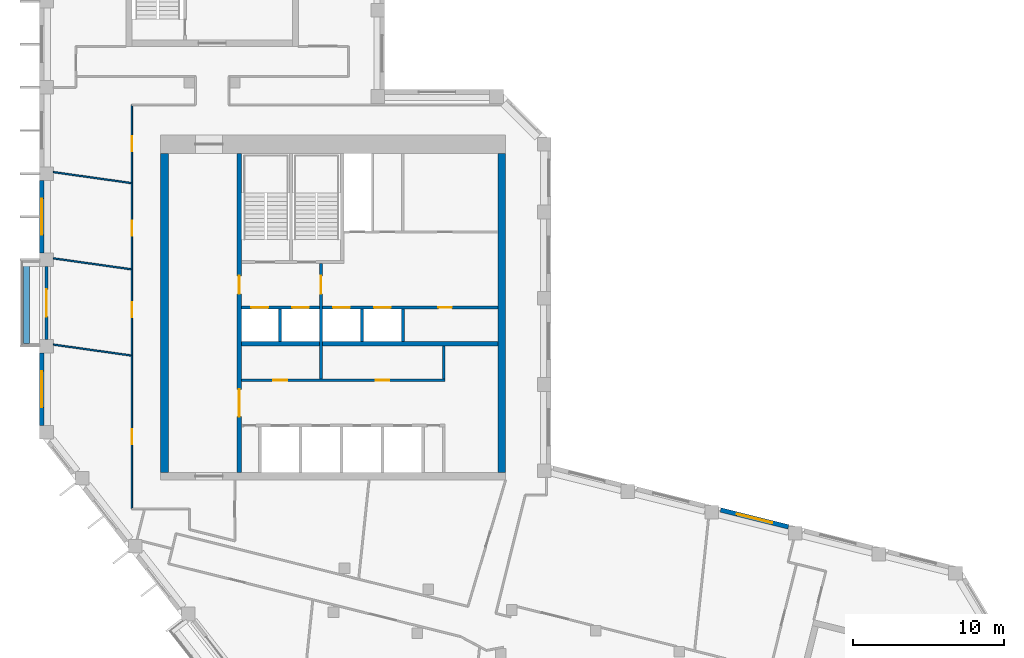
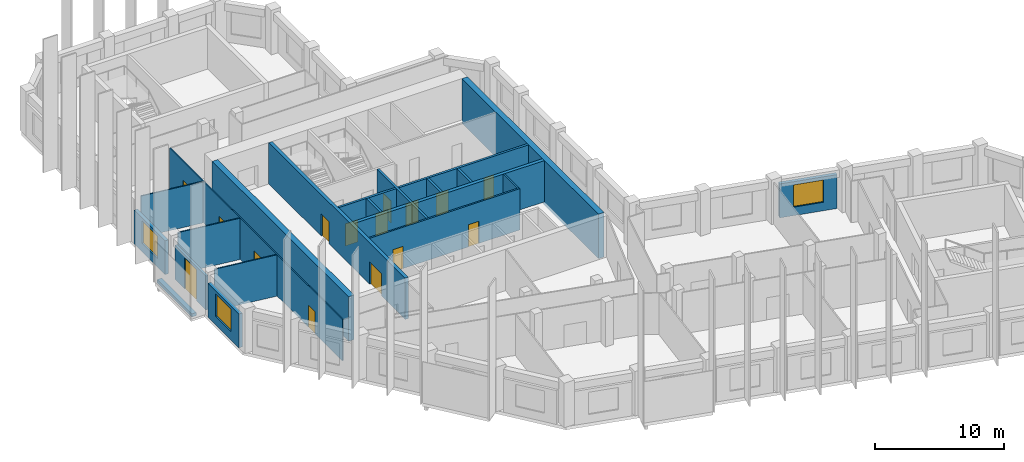
# One storey, part 5 of 8: 20 walls, 15 doors, 3 windows, 18 openings.
"""IFC4 building model written with IfcOpenShell, lengths in metres."""

from ifc_helpers import new_model, si_unit, direction, frame, frame_2d, origin, place, context, subcontext, project, spatial, rectangle, extrude, material, layer, layer_set, type_object, element, fill, save


model = new_model("IFC4")

# Units and contexts
model_context = context("Model", 3, precision=1e-05, world=origin(), true_north=direction((0.0, 1.0)))
body_context = subcontext(model_context, "Body", "Model", "MODEL_VIEW")
ifc_project = project(units=[si_unit("LENGTHUNIT", "METRE"), si_unit("AREAUNIT", "SQUARE_METRE"), si_unit("VOLUMEUNIT", "CUBIC_METRE"), si_unit("PLANEANGLEUNIT", "RADIAN"), si_unit("MASSUNIT", "GRAM", prefix="KILO")], contexts=[model_context])

# Site, building, storey
site_placement = place(None, origin())
site = spatial("IfcSite", under=ifc_project, at=site_placement, CompositionType="ELEMENT")
building_placement = place(site_placement, origin())
building = spatial("IfcBuilding", under=site, at=building_placement, Name="Meshkara Civic Tower", CompositionType="ELEMENT")
storey_placement = place(building_placement, frame((0.0, 0.0, 387.60009765625)))
storey = spatial("IfcBuildingStorey", under=building, at=storey_placement, Name="L89", CompositionType="ELEMENT", Elevation=387.60009765625)

# Wall, openings, doors
ifc_material_1 = material(Name="Blockwork", Category="masonry")
ifc_layer_1 = layer(ifc_material_1, 0.14990234375)
ifc_layer_set_1 = layer_set([ifc_layer_1], Name="Core partition 150")
wall_type_1 = type_object("IfcWallType", Name="Core partition 150", PredefinedType="PARTITIONING", material=ifc_layer_set_1)
wall_1_placement = place(storey_placement, frame((13.35009765625, 20.699951171875, 0.0), z_axis=(0.0, 0.0, 1.0), x_axis=(1.0, 0.0, 0.0)))
wall_1 = element("IfcWall", 1, at=wall_1_placement, inside=storey, type_object=wall_type_1, Name="L89-C006", PredefinedType="PARTITIONING", context=body_context, shape_type="SweptSolid", body=[
    extrude(rectangle(XDim=13.4248046875, YDim=0.14990234375, at=frame_2d((6.71240234375, 0.0))), origin(), (0.0, 0.0, 1.0), 3.89990234375),
])
opening_1_placement = place(wall_1_placement, frame((2.10009765625, 0.0, 0.0)))
opening_1 = element("IfcOpeningElement", 2, at=opening_1_placement, cuts=wall_1, Name="Opening L89-K011", PredefinedType="OPENING", context=body_context, shape_type="SweptSolid", body=[
    extrude(rectangle(XDim=0.89990234375, YDim=2.10009765625, at=frame_2d((0.449951171875, 1.050048828125))), frame((0.0, 0.0849609375, 0.0), z_axis=(0.0, -1.0, 0.0), x_axis=(1.0, 0.0, 0.0)), (0.0, 0.0, 1.0), 0.169921875),
])
opening_2_placement = place(wall_1_placement, frame((8.85009765625, 0.0, 0.0)))
opening_2 = element("IfcOpeningElement", 3, at=opening_2_placement, cuts=wall_1, Name="Opening L89-K012", PredefinedType="OPENING", context=body_context, shape_type="SweptSolid", body=[
    extrude(rectangle(XDim=0.89990234375, YDim=2.10009765625, at=frame_2d((0.449951171875, 1.050048828125))), frame((0.0, 0.0849609375, 0.0), z_axis=(0.0, -1.0, 0.0), x_axis=(1.0, 0.0, 0.0)), (0.0, 0.0, 1.0), 0.169921875),
])
ifc_material_2 = material(Name="Timber door leaf in steel frame", Category="steel")
door_type_1 = type_object("IfcDoorType", Name="Core room door 900", OperationType="SINGLE_SWING_LEFT", PredefinedType="DOOR", material=ifc_material_2)
door_1_placement = place(opening_1_placement, origin())
door_1 = element("IfcDoor", 4, at=door_1_placement, inside=storey, type_object=door_type_1, Name="L89-K011", OperationType="SINGLE_SWING_RIGHT", OverallHeight=2.10009765625, OverallWidth=0.89990234375, PredefinedType="DOOR", context=body_context, shape_type="SweptSolid", body=[
    extrude(rectangle(XDim=0.89990234375, YDim=2.10009765625, at=frame_2d((0.449951171875, 1.050048828125))), frame((0.0, 0.02490234375, 0.0), z_axis=(0.0, -1.0, 0.0), x_axis=(1.0, 0.0, 0.0)), (0.0, 0.0, 1.0), 0.050048828125),
])
fill(opening_1, door_1)
door_2_placement = place(opening_2_placement, origin())
door_2 = element("IfcDoor", 5, at=door_2_placement, inside=storey, type_object=door_type_1, Name="L89-K012", OperationType="SINGLE_SWING_RIGHT", OverallHeight=2.10009765625, OverallWidth=0.89990234375, PredefinedType="DOOR", context=body_context, shape_type="SweptSolid", body=[
    extrude(rectangle(XDim=0.89990234375, YDim=2.10009765625, at=frame_2d((0.449951171875, 1.050048828125))), frame((0.0, 0.02490234375, 0.0), z_axis=(0.0, -1.0, 0.0), x_axis=(1.0, 0.0, 0.0)), (0.0, 0.0, 1.0), 0.050048828125),
])
fill(opening_2, door_2)

# Walls
wall_2_placement = place(storey_placement, frame((26.699951171875, 20.77490234375, 0.0), z_axis=(0.0, 0.0, 1.0), x_axis=(0.0, 1.0, 0.0)))
element("IfcWall", 6, at=wall_2_placement, inside=storey, type_object=wall_type_1, Name="L89-C026", PredefinedType="PARTITIONING", context=body_context, shape_type="SweptSolid", body=[
    extrude(rectangle(XDim=2.175048828125, YDim=0.14990234375, at=frame_2d((1.08740234375, 0.0))), origin(), (0.0, 0.0, 1.0), 3.89990234375),
])
ifc_material_3 = material(Name="Concrete C50", Category="concrete")
ifc_layer_2 = layer(ifc_material_3, 0.5)
ifc_layer_set_2 = layer_set([ifc_layer_2], Name="Core ring wall 500 C50")
wall_type_2 = type_object("IfcWallType", Name="Core ring wall 500 C50", PredefinedType="SHEAR", material=ifc_layer_set_2)
for number, where, z_axis, x_axis, name in (
    (7, (8.25, 14.60009765625, -0.300048828125), (0.0, 0.0, 1.0), (0.0, 1.0, 0.0), "L89-C003"),
    (8, (30.550048828125, 14.60009765625, -0.300048828125), (0.0, 0.0, 1.0), (0.0, 1.0, 0.0), "L89-C004"),
):
    element("IfcWall", number, at=place(storey_placement, frame(where, z_axis=z_axis, x_axis=x_axis)), inside=storey, type_object=wall_type_2, Name=name, PredefinedType="SHEAR", context=body_context, shape_type="SweptSolid", body=[
        extrude(rectangle(XDim=21.099853515625, YDim=0.5, at=frame_2d((10.5498046875, 0.0))), origin(), (0.0, 0.0, 1.0), 4.199951171875),
    ])
ifc_material_4 = material(Name="Concrete C50", Category="concrete")
ifc_layer_3 = layer(ifc_material_4, 0.300048828125)
ifc_layer_set_3 = layer_set([ifc_layer_3], Name="Core shear wall 300 C50")
wall_type_3 = type_object("IfcWallType", Name="Core shear wall 300 C50", PredefinedType="SHEAR", material=ifc_layer_set_3)
wall_3_placement = place(storey_placement, frame((13.35009765625, 23.10009765625, 0.0), z_axis=(0.0, 0.0, 1.0), x_axis=(1.0, 0.0, 0.0)))
element("IfcWall", 9, at=wall_3_placement, inside=storey, type_object=wall_type_3, Name="L89-C007", PredefinedType="SHEAR", context=body_context, shape_type="SweptSolid", body=[
    extrude(rectangle(XDim=16.949951171875, YDim=0.300048828125, at=frame_2d((8.47509765625, 0.0))), origin(), (0.0, 0.0, 1.0), 3.89990234375),
])

# Wall, openings, doors
wall_4_placement = place(storey_placement, frame((13.199951171875, 14.60009765625, 0.0), z_axis=(0.0, 0.0, 1.0), x_axis=(0.0, 1.0, 0.0)))
wall_4 = element("IfcWall", 10, at=wall_4_placement, inside=storey, type_object=wall_type_3, Name="L89-C011", PredefinedType="SHEAR", context=body_context, shape_type="SweptSolid", body=[
    extrude(rectangle(XDim=21.099853515625, YDim=0.300048828125, at=frame_2d((10.5498046875, 0.0))), origin(), (0.0, 0.0, 1.0), 3.89990234375),
])
opening_3_placement = place(wall_4_placement, frame((3.699951171875, 0.0, 0.0)))
opening_3 = element("IfcOpeningElement", 11, at=opening_3_placement, cuts=wall_4, Name="Opening L89-K019", PredefinedType="OPENING", context=body_context, shape_type="SweptSolid", body=[
    extrude(rectangle(XDim=1.800048828125, YDim=2.10009765625, at=frame_2d((0.89990234375, 1.050048828125))), frame((0.0, 0.159912109375, 0.0), z_axis=(0.0, -1.0, 0.0), x_axis=(1.0, 0.0, 0.0)), (0.0, 0.0, 1.0), 0.320068359375),
])
opening_4_placement = place(wall_4_placement, frame((11.800048828125, 0.0, 0.0)))
opening_4 = element("IfcOpeningElement", 12, at=opening_4_placement, cuts=wall_4, Name="Opening L89-K020", PredefinedType="OPENING", context=body_context, shape_type="SweptSolid", body=[
    extrude(rectangle(XDim=1.199951171875, YDim=2.10009765625, at=frame_2d((0.60009765625, 1.050048828125))), frame((0.0, 0.159912109375, 0.0), z_axis=(0.0, -1.0, 0.0), x_axis=(1.0, 0.0, 0.0)), (0.0, 0.0, 1.0), 0.320068359375),
])
ifc_material_5 = material(Name="Fire-rated door leaf in steel frame", Category="steel")
door_type_2 = type_object("IfcDoorType", Name="Core double door 1800 EI 60", OperationType="DOUBLE_DOOR_SINGLE_SWING", PredefinedType="DOOR", material=ifc_material_5)
door_3_placement = place(opening_3_placement, origin())
door_3 = element("IfcDoor", 13, at=door_3_placement, inside=storey, type_object=door_type_2, Name="L89-K019", OperationType="DOUBLE_DOOR_SINGLE_SWING", OverallHeight=2.10009765625, OverallWidth=1.800048828125, PredefinedType="DOOR", context=body_context, shape_type="SweptSolid", body=[
    extrude(rectangle(XDim=1.800048828125, YDim=2.10009765625, at=frame_2d((0.89990234375, 1.050048828125))), frame((0.0, 0.02490234375, 0.0), z_axis=(0.0, -1.0, 0.0), x_axis=(1.0, 0.0, 0.0)), (0.0, 0.0, 1.0), 0.050048828125),
])
fill(opening_3, door_3)
ifc_material_6 = material(Name="Fire-rated door leaf in steel frame", Category="steel")
door_type_3 = type_object("IfcDoorType", Name="Fire-fighting lobby door 1200 EI 120", OperationType="SINGLE_SWING_LEFT", PredefinedType="DOOR", material=ifc_material_6)
door_4_placement = place(opening_4_placement, origin())
door_4 = element("IfcDoor", 14, at=door_4_placement, inside=storey, type_object=door_type_3, Name="L89-K020", OperationType="SINGLE_SWING_LEFT", OverallHeight=2.10009765625, OverallWidth=1.199951171875, PredefinedType="DOOR", context=body_context, shape_type="SweptSolid", body=[
    extrude(rectangle(XDim=1.199951171875, YDim=2.10009765625, at=frame_2d((0.60009765625, 1.050048828125))), frame((0.0, 0.02490234375, 0.0), z_axis=(0.0, -1.0, 0.0), x_axis=(1.0, 0.0, 0.0)), (0.0, 0.0, 1.0), 0.050048828125),
])
fill(opening_4, door_4)

ifc_material_7 = material(Name="Corridor wall 100")
ifc_layer_4 = layer(ifc_material_7, 0.10009765625)
ifc_layer_set_4 = layer_set([ifc_layer_4], Name="Corridor wall 100")
wall_type_4 = type_object("IfcWallType", Name="Corridor wall 100", PredefinedType="PARTITIONING", material=ifc_layer_set_4)
wall_5_placement = place(storey_placement, frame((6.10009765625, 38.89990234375, 0.0), z_axis=(0.0, 0.0, 1.0), x_axis=(0.0, -1.0, 0.0)))
wall_5 = element("IfcWall", 15, at=wall_5_placement, inside=storey, type_object=wall_type_4, Name="L89-W005", PredefinedType="PARTITIONING", context=body_context, shape_type="SweptSolid", body=[
    extrude(rectangle(XDim=26.699951171875, YDim=0.10009765625, at=frame_2d((13.35009765625, 0.0))), origin(), (0.0, 0.0, 1.0), 3.89990234375),
])
opening_5_placement = place(wall_5_placement, frame((21.448974609375, 0.0, 0.0)))
opening_5 = element("IfcOpeningElement", 16, at=opening_5_placement, cuts=wall_5, Name="Opening L89-D010", PredefinedType="OPENING", context=body_context, shape_type="SweptSolid", body=[
    extrude(rectangle(XDim=1.0, YDim=2.10009765625, at=frame_2d((0.5, 1.050048828125))), frame((0.0, 0.06005859375, 0.0), z_axis=(0.0, -1.0, 0.0), x_axis=(1.0, 0.0, 0.0)), (0.0, 0.0, 1.0), 0.1201171875),
])
opening_6_placement = place(wall_5_placement, frame((13.049072265625, 0.0, 0.0)))
opening_6 = element("IfcOpeningElement", 17, at=opening_6_placement, cuts=wall_5, Name="Opening L89-D012", PredefinedType="OPENING", context=body_context, shape_type="SweptSolid", body=[
    extrude(rectangle(XDim=1.0, YDim=2.10009765625, at=frame_2d((0.5, 1.050048828125))), frame((0.0, 0.06005859375, 0.0), z_axis=(0.0, -1.0, 0.0), x_axis=(1.0, 0.0, 0.0)), (0.0, 0.0, 1.0), 0.1201171875),
])
opening_7_placement = place(wall_5_placement, frame((7.64892578125, 0.0, 0.0)))
opening_7 = element("IfcOpeningElement", 18, at=opening_7_placement, cuts=wall_5, Name="Opening L89-D013", PredefinedType="OPENING", context=body_context, shape_type="SweptSolid", body=[
    extrude(rectangle(XDim=1.0, YDim=2.10009765625, at=frame_2d((0.5, 1.050048828125))), frame((0.0, 0.06005859375, 0.0), z_axis=(0.0, -1.0, 0.0), x_axis=(1.0, 0.0, 0.0)), (0.0, 0.0, 1.0), 0.1201171875),
])
opening_8_placement = place(wall_5_placement, frame((2.080078125, 0.0, 0.0)))
opening_8 = element("IfcOpeningElement", 19, at=opening_8_placement, cuts=wall_5, Name="Opening L89-D015", PredefinedType="OPENING", context=body_context, shape_type="SweptSolid", body=[
    extrude(rectangle(XDim=1.0, YDim=2.10009765625, at=frame_2d((0.5, 1.050048828125))), frame((0.0, 0.06005859375, 0.0), z_axis=(0.0, -1.0, 0.0), x_axis=(1.0, 0.0, 0.0)), (0.0, 0.0, 1.0), 0.1201171875),
])
ifc_material_8 = material(Name="Door 1000 x 2100")
door_type_4 = type_object("IfcDoorType", Name="Door 1000 x 2100", OperationType="SINGLE_SWING_LEFT", PredefinedType="DOOR", material=ifc_material_8)
door_5_placement = place(opening_5_placement, origin())
door_5 = element("IfcDoor", 20, at=door_5_placement, inside=storey, type_object=door_type_4, Name="L89-D010", OperationType="SINGLE_SWING_LEFT", OverallHeight=2.10009765625, OverallWidth=1.0, PredefinedType="DOOR", context=body_context, shape_type="SweptSolid", body=[
    extrude(rectangle(XDim=1.0, YDim=2.10009765625, at=frame_2d((0.5, 1.050048828125))), frame((0.0, 0.02490234375, 0.0), z_axis=(0.0, -1.0, 0.0), x_axis=(1.0, 0.0, 0.0)), (0.0, 0.0, 1.0), 0.050048828125),
])
fill(opening_5, door_5)
door_6_placement = place(opening_6_placement, origin())
door_6 = element("IfcDoor", 21, at=door_6_placement, inside=storey, type_object=door_type_4, Name="L89-D012", OperationType="SINGLE_SWING_RIGHT", OverallHeight=2.10009765625, OverallWidth=1.0, PredefinedType="DOOR", context=body_context, shape_type="SweptSolid", body=[
    extrude(rectangle(XDim=1.0, YDim=2.10009765625, at=frame_2d((0.5, 1.050048828125))), frame((0.0, 0.02490234375, 0.0), z_axis=(0.0, -1.0, 0.0), x_axis=(1.0, 0.0, 0.0)), (0.0, 0.0, 1.0), 0.050048828125),
])
fill(opening_6, door_6)
door_7_placement = place(opening_7_placement, origin())
door_7 = element("IfcDoor", 22, at=door_7_placement, inside=storey, type_object=door_type_4, Name="L89-D013", OperationType="SINGLE_SWING_LEFT", OverallHeight=2.10009765625, OverallWidth=1.0, PredefinedType="DOOR", context=body_context, shape_type="SweptSolid", body=[
    extrude(rectangle(XDim=1.0, YDim=2.10009765625, at=frame_2d((0.5, 1.050048828125))), frame((0.0, 0.02490234375, 0.0), z_axis=(0.0, -1.0, 0.0), x_axis=(1.0, 0.0, 0.0)), (0.0, 0.0, 1.0), 0.050048828125),
])
fill(opening_7, door_7)
door_8_placement = place(opening_8_placement, origin())
door_8 = element("IfcDoor", 23, at=door_8_placement, inside=storey, type_object=door_type_4, Name="L89-D015", OperationType="SINGLE_SWING_RIGHT", OverallHeight=2.10009765625, OverallWidth=1.0, PredefinedType="DOOR", context=body_context, shape_type="SweptSolid", body=[
    extrude(rectangle(XDim=1.0, YDim=2.10009765625, at=frame_2d((0.5, 1.050048828125))), frame((0.0, 0.02490234375, 0.0), z_axis=(0.0, -1.0, 0.0), x_axis=(1.0, 0.0, 0.0)), (0.0, 0.0, 1.0), 0.050048828125),
])
fill(opening_8, door_8)

# Wall, opening, window
ifc_material_9 = material(Name="Insulated infill panel with bronze anodised aluminium cladding", Category="aluminium")
ifc_layer_5 = layer(ifc_material_9, 0.300048828125)
ifc_layer_set_5 = layer_set([ifc_layer_5], Name="EXTERNAL INFILL WALL 300")
wall_type_5 = type_object("IfcWallType", Name="EXTERNAL INFILL WALL 300", PredefinedType="SOLIDWALL", material=ifc_layer_set_5)
wall_6_placement = place(storey_placement, frame((49.485107421875, 11.0048828125, 0.0), z_axis=(0.0, 0.0, 1.0), x_axis=(-0.970235897967, 0.242161727563, 0.0)))
wall_6 = element("IfcWall", 24, at=wall_6_placement, inside=storey, type_object=wall_type_5, Name="External wall", PredefinedType="SOLIDWALL", context=body_context, shape_type="SweptSolid", body=[
    extrude(rectangle(XDim=4.609375, YDim=0.300048828125, at=frame_2d((2.3046875, 0.0))), origin(), (0.0, 0.0, 1.0), 3.199951171875),
])
opening_9_placement = place(wall_6_placement, frame((1.10498046875, 0.0, 0.800048828125)))
opening_9 = element("IfcOpeningElement", 25, at=opening_9_placement, cuts=wall_6, Name="Opening W7", PredefinedType="OPENING", context=body_context, shape_type="SweptSolid", body=[
    extrude(rectangle(XDim=2.39990234375, YDim=2.10009765625, at=frame_2d((1.199951171875, 1.050048828125))), frame((0.0, 0.159912109375, 0.0), z_axis=(0.0, -1.0, 0.0), x_axis=(1.0, 0.0, 0.0)), (0.0, 0.0, 1.0), 0.320068359375),
])
ifc_material_10 = material(Name="Tinted double glazing", Category="glass")
window_type = type_object("IfcWindowType", Name="WINDOW 2400x2100", PartitioningType="DOUBLE_PANEL_VERTICAL", PredefinedType="WINDOW", material=ifc_material_10)
window_1_placement = place(opening_9_placement, origin())
window_1 = element("IfcWindow", 26, at=window_1_placement, inside=storey, type_object=window_type, Name="Window", OverallHeight=2.10009765625, OverallWidth=2.39990234375, PartitioningType="DOUBLE_PANEL_VERTICAL", PredefinedType="WINDOW", context=body_context, shape_type="SweptSolid", body=[
    extrude(rectangle(XDim=2.39990234375, YDim=2.10009765625, at=frame_2d((1.199951171875, 1.050048828125))), frame((0.0, 0.030029296875, 0.0), z_axis=(0.0, -1.0, 0.0), x_axis=(1.0, 0.0, 0.0)), (0.0, 0.0, 1.0), 0.06005859375),
])
fill(opening_9, window_1)

wall_7_placement = place(storey_placement, frame((0.14990234375, 33.905029296875, 0.0), z_axis=(0.0, 0.0, 1.0), x_axis=(0.0, -1.0, 0.0)))
wall_7 = element("IfcWall", 27, at=wall_7_placement, inside=storey, type_object=wall_type_5, Name="External wall", PredefinedType="SOLIDWALL", context=body_context, shape_type="SweptSolid", body=[
    extrude(rectangle(XDim=4.800048828125, YDim=0.300048828125, at=frame_2d((2.39990234375, 0.0))), origin(), (0.0, 0.0, 1.0), 3.199951171875),
])
opening_10_placement = place(wall_7_placement, frame((1.199951171875, 0.0, 0.800048828125)))
opening_10 = element("IfcOpeningElement", 28, at=opening_10_placement, cuts=wall_7, Name="Opening W7", PredefinedType="OPENING", context=body_context, shape_type="SweptSolid", body=[
    extrude(rectangle(XDim=2.39990234375, YDim=2.10009765625, at=frame_2d((1.199951171875, 1.050048828125))), frame((0.0, 0.159912109375, 0.0), z_axis=(0.0, -1.0, 0.0), x_axis=(1.0, 0.0, 0.0)), (0.0, 0.0, 1.0), 0.320068359375),
])
window_2_placement = place(opening_10_placement, origin())
window_2 = element("IfcWindow", 29, at=window_2_placement, inside=storey, type_object=window_type, Name="Window", OverallHeight=2.10009765625, OverallWidth=2.39990234375, PartitioningType="DOUBLE_PANEL_VERTICAL", PredefinedType="WINDOW", context=body_context, shape_type="SweptSolid", body=[
    extrude(rectangle(XDim=2.39990234375, YDim=2.10009765625, at=frame_2d((1.199951171875, 1.050048828125))), frame((0.0, 0.030029296875, 0.0), z_axis=(0.0, -1.0, 0.0), x_axis=(1.0, 0.0, 0.0)), (0.0, 0.0, 1.0), 0.06005859375),
])
fill(opening_10, window_2)

wall_8_placement = place(storey_placement, frame((0.14990234375, 22.5048828125, 0.0), z_axis=(0.0, 0.0, 1.0), x_axis=(0.0, -1.0, 0.0)))
wall_8 = element("IfcWall", 30, at=wall_8_placement, inside=storey, type_object=wall_type_5, Name="External wall", PredefinedType="SOLIDWALL", context=body_context, shape_type="SweptSolid", body=[
    extrude(rectangle(XDim=4.7998046875, YDim=0.300048828125, at=frame_2d((2.39990234375, 0.0))), origin(), (0.0, 0.0, 1.0), 3.199951171875),
])
opening_11_placement = place(wall_8_placement, frame((1.199951171875, 0.0, 0.800048828125)))
opening_11 = element("IfcOpeningElement", 31, at=opening_11_placement, cuts=wall_8, Name="Opening W7", PredefinedType="OPENING", context=body_context, shape_type="SweptSolid", body=[
    extrude(rectangle(XDim=2.39990234375, YDim=2.10009765625, at=frame_2d((1.199951171875, 1.050048828125))), frame((0.0, 0.159912109375, 0.0), z_axis=(0.0, -1.0, 0.0), x_axis=(1.0, 0.0, 0.0)), (0.0, 0.0, 1.0), 0.320068359375),
])
window_3_placement = place(opening_11_placement, origin())
window_3 = element("IfcWindow", 32, at=window_3_placement, inside=storey, type_object=window_type, Name="Window", OverallHeight=2.10009765625, OverallWidth=2.39990234375, PartitioningType="DOUBLE_PANEL_VERTICAL", PredefinedType="WINDOW", context=body_context, shape_type="SweptSolid", body=[
    extrude(rectangle(XDim=2.39990234375, YDim=2.10009765625, at=frame_2d((1.199951171875, 1.050048828125))), frame((0.0, 0.030029296875, 0.0), z_axis=(0.0, -1.0, 0.0), x_axis=(1.0, 0.0, 0.0)), (0.0, 0.0, 1.0), 0.06005859375),
])
fill(opening_11, window_3)

# Wall, opening, door
ifc_material_11 = material(Name="Insulated infill panel with bronze anodised aluminium cladding", Category="aluminium")
ifc_layer_6 = layer(ifc_material_11, 0.199951171875)
ifc_layer_set_6 = layer_set([ifc_layer_6], Name="LOGGIA BACK WALL 200")
wall_type_6 = type_object("IfcWallType", Name="LOGGIA BACK WALL 200", PredefinedType="SOLIDWALL", material=ifc_layer_set_6)
wall_9_placement = place(storey_placement, frame((0.449951171875, 28.205078125, 0.0), z_axis=(0.0, 0.0, 1.0), x_axis=(0.0, -1.0, 0.0)))
wall_9 = element("IfcWall", 33, at=wall_9_placement, inside=storey, type_object=wall_type_6, Name="Loggia wall", PredefinedType="SOLIDWALL", context=body_context, shape_type="SweptSolid", body=[
    extrude(rectangle(XDim=4.800048828125, YDim=0.199951171875, at=frame_2d((2.39990234375, 0.0))), origin(), (0.0, 0.0, 1.0), 3.199951171875),
])
opening_12_placement = place(wall_9_placement, frame((1.5, 0.0, 0.0)))
opening_12 = element("IfcOpeningElement", 34, at=opening_12_placement, cuts=wall_9, Name="Opening L89-L001", PredefinedType="OPENING", context=body_context, shape_type="SweptSolid", body=[
    extrude(rectangle(XDim=1.800048828125, YDim=2.89990234375, at=frame_2d((0.89990234375, 1.449951171875))), frame((0.0, 0.10986328125, 0.0), z_axis=(0.0, -1.0, 0.0), x_axis=(1.0, 0.0, 0.0)), (0.0, 0.0, 1.0), 0.219970703125),
])
ifc_material_12 = material(Name="Tinted double glazing", Category="glass")
door_type_5 = type_object("IfcDoorType", Name="LOGGIA DOOR 1800x2900", OperationType="DOUBLE_DOOR_SINGLE_SWING", PredefinedType="DOOR", material=ifc_material_12)
door_9_placement = place(opening_12_placement, origin())
door_9 = element("IfcDoor", 35, at=door_9_placement, inside=storey, type_object=door_type_5, Name="L89-L001", OperationType="DOUBLE_DOOR_SINGLE_SWING", OverallHeight=2.89990234375, OverallWidth=1.800048828125, PredefinedType="DOOR", context=body_context, shape_type="SweptSolid", body=[
    extrude(rectangle(XDim=1.800048828125, YDim=2.89990234375, at=frame_2d((0.89990234375, 1.449951171875))), frame((0.0, 0.02490234375, 0.0), z_axis=(0.0, -1.0, 0.0), x_axis=(1.0, 0.0, 0.0)), (0.0, 0.0, 1.0), 0.050048828125),
])
fill(opening_12, door_9)

# Walls
ifc_material_13 = material(Name="Concrete C40", Category="concrete")
ifc_layer_7 = layer(ifc_material_13, 0.39990234375)
ifc_layer_set_7 = layer_set([ifc_layer_7], Name="PLANTER TRAY")
wall_type_7 = type_object("IfcWallType", Name="PLANTER TRAY", PredefinedType="SOLIDWALL", material=ifc_layer_set_7)
wall_10_placement = place(storey_placement, frame((-0.8798828125, 28.485107421875, 0.0), z_axis=(0.0, 0.0, 1.0), x_axis=(0.0, -1.0, 0.0)))
element("IfcWall", 36, at=wall_10_placement, inside=storey, type_object=wall_type_7, Name="Planter", PredefinedType="SOLIDWALL", context=body_context, shape_type="SweptSolid", body=[
    extrude(rectangle(XDim=5.360107421875, YDim=0.39990234375, at=frame_2d((2.68017578125, 0.0))), origin(), (0.0, 0.0, 1.0), 0.2998046875),
])
ifc_material_14 = material(Name="Partition 100")
ifc_layer_8 = layer(ifc_material_14, 0.10009765625)
ifc_layer_set_8 = layer_set([ifc_layer_8], Name="Partition 100")
wall_type_8 = type_object("IfcWallType", Name="Partition 100", PredefinedType="PARTITIONING", material=ifc_layer_set_8)
for number, where, z_axis, x_axis, name in (
    (37, (6.04296875, 22.3310546875, 0.0), (0.0, 0.0, 1.0), (-0.99026569242, 0.139190008319, 0.0), "L89-W040"),
    (38, (6.04296875, 28.031005859375, 0.0), (0.0, 0.0, 1.0), (-0.99026569242, 0.139190008319, 0.0), "L89-W041"),
    (39, (6.04296875, 33.73095703125, 0.0), (0.0, 0.0, 1.0), (-0.990259212069, 0.139236104915, 0.0), "L89-W042"),
):
    element("IfcWall", number, at=place(storey_placement, frame(where, z_axis=z_axis, x_axis=x_axis)), inside=storey, type_object=wall_type_8, Name=name, PredefinedType="PARTITIONING", context=body_context, shape_type="SweptSolid", body=[
        extrude(rectangle(XDim=5.193603515625, YDim=0.10009765625, at=frame_2d((2.5966796875, 0.0))), origin(), (0.0, 0.0, 1.0), 3.89990234375),
    ])

# Wall, openings, doors
ifc_material_15 = material(Name="Concrete C40/50", Category="concrete")
ifc_layer_9 = layer(ifc_material_15, 0.199951171875)
ifc_layer_set_9 = layer_set([ifc_layer_9], Name="Shaft wall 200 C40/50")
wall_type_9 = type_object("IfcWallType", Name="Shaft wall 200 C40/50", PredefinedType="SOLIDWALL", material=ifc_layer_set_9)
wall_11_placement = place(storey_placement, frame((13.35009765625, 25.5, 0.0), z_axis=(0.0, 0.0, 1.0), x_axis=(1.0, 0.0, 0.0)))
wall_11 = element("IfcWall", 40, at=wall_11_placement, inside=storey, type_object=wall_type_9, Name="L89-C008", PredefinedType="SOLIDWALL", context=body_context, shape_type="SweptSolid", body=[
    extrude(rectangle(XDim=16.949951171875, YDim=0.199951171875, at=frame_2d((8.47509765625, 0.0))), origin(), (0.0, 0.0, 1.0), 3.89990234375),
])
opening_13_placement = place(wall_11_placement, frame((0.64990234375, 0.0, 0.0)))
opening_13 = element("IfcOpeningElement", 41, at=opening_13_placement, cuts=wall_11, Name="Opening L89-K005", PredefinedType="OPENING", context=body_context, shape_type="SweptSolid", body=[
    extrude(rectangle(XDim=1.10009765625, YDim=2.10009765625, at=frame_2d((0.550048828125, 1.050048828125))), frame((0.0, 0.10986328125, 0.0), z_axis=(0.0, -1.0, 0.0), x_axis=(1.0, 0.0, 0.0)), (0.0, 0.0, 1.0), 0.219970703125),
])
opening_14_placement = place(wall_11_placement, frame((3.35009765625, 0.0, 0.0)))
opening_14 = element("IfcOpeningElement", 42, at=opening_14_placement, cuts=wall_11, Name="Opening L89-K006", PredefinedType="OPENING", context=body_context, shape_type="SweptSolid", body=[
    extrude(rectangle(XDim=1.10009765625, YDim=2.10009765625, at=frame_2d((0.550048828125, 1.050048828125))), frame((0.0, 0.10986328125, 0.0), z_axis=(0.0, -1.0, 0.0), x_axis=(1.0, 0.0, 0.0)), (0.0, 0.0, 1.0), 0.219970703125),
])
opening_15_placement = place(wall_11_placement, frame((6.050048828125, 0.0, 0.0)))
opening_15 = element("IfcOpeningElement", 43, at=opening_15_placement, cuts=wall_11, Name="Opening L89-K007", PredefinedType="OPENING", context=body_context, shape_type="SweptSolid", body=[
    extrude(rectangle(XDim=1.10009765625, YDim=2.10009765625, at=frame_2d((0.550048828125, 1.050048828125))), frame((0.0, 0.10986328125, 0.0), z_axis=(0.0, -1.0, 0.0), x_axis=(1.0, 0.0, 0.0)), (0.0, 0.0, 1.0), 0.219970703125),
])
opening_16_placement = place(wall_11_placement, frame((8.75, 0.0, 0.0)))
opening_16 = element("IfcOpeningElement", 44, at=opening_16_placement, cuts=wall_11, Name="Opening L89-K008", PredefinedType="OPENING", context=body_context, shape_type="SweptSolid", body=[
    extrude(rectangle(XDim=1.10009765625, YDim=2.10009765625, at=frame_2d((0.550048828125, 1.050048828125))), frame((0.0, 0.10986328125, 0.0), z_axis=(0.0, -1.0, 0.0), x_axis=(1.0, 0.0, 0.0)), (0.0, 0.0, 1.0), 0.219970703125),
])
opening_17_placement = place(wall_11_placement, frame((13.0, 0.0, 0.0)))
opening_17 = element("IfcOpeningElement", 45, at=opening_17_placement, cuts=wall_11, Name="Opening L89-K013", PredefinedType="OPENING", context=body_context, shape_type="SweptSolid", body=[
    extrude(rectangle(XDim=0.89990234375, YDim=2.10009765625, at=frame_2d((0.449951171875, 1.050048828125))), frame((0.0, 0.10986328125, 0.0), z_axis=(0.0, -1.0, 0.0), x_axis=(1.0, 0.0, 0.0)), (0.0, 0.0, 1.0), 0.219970703125),
])
door_10_placement = place(opening_17_placement, origin())
door_10 = element("IfcDoor", 46, at=door_10_placement, inside=storey, type_object=door_type_1, Name="L89-K013", OperationType="SINGLE_SWING_LEFT", OverallHeight=2.10009765625, OverallWidth=0.89990234375, PredefinedType="DOOR", context=body_context, shape_type="SweptSolid", body=[
    extrude(rectangle(XDim=0.89990234375, YDim=2.10009765625, at=frame_2d((0.449951171875, 1.050048828125))), frame((0.0, 0.02490234375, 0.0), z_axis=(0.0, -1.0, 0.0), x_axis=(1.0, 0.0, 0.0)), (0.0, 0.0, 1.0), 0.050048828125),
])
fill(opening_17, door_10)
ifc_material_16 = material(Name="Stainless steel landing door", Category="steel")
door_type_6 = type_object("IfcDoorType", Name="Lift landing door 1100", OperationType="SLIDING_TO_LEFT", PredefinedType="DOOR", material=ifc_material_16)
door_11_placement = place(opening_13_placement, origin())
door_11 = element("IfcDoor", 47, at=door_11_placement, inside=storey, type_object=door_type_6, Name="L89-K005", OperationType="SLIDING_TO_LEFT", OverallHeight=2.10009765625, OverallWidth=1.10009765625, PredefinedType="DOOR", context=body_context, shape_type="SweptSolid", body=[
    extrude(rectangle(XDim=1.10009765625, YDim=2.10009765625, at=frame_2d((0.550048828125, 1.050048828125))), frame((0.0, 0.02490234375, 0.0), z_axis=(0.0, -1.0, 0.0), x_axis=(1.0, 0.0, 0.0)), (0.0, 0.0, 1.0), 0.050048828125),
])
fill(opening_13, door_11)
door_12_placement = place(opening_14_placement, origin())
door_12 = element("IfcDoor", 48, at=door_12_placement, inside=storey, type_object=door_type_6, Name="L89-K006", OperationType="SLIDING_TO_LEFT", OverallHeight=2.10009765625, OverallWidth=1.10009765625, PredefinedType="DOOR", context=body_context, shape_type="SweptSolid", body=[
    extrude(rectangle(XDim=1.10009765625, YDim=2.10009765625, at=frame_2d((0.550048828125, 1.050048828125))), frame((0.0, 0.02490234375, 0.0), z_axis=(0.0, -1.0, 0.0), x_axis=(1.0, 0.0, 0.0)), (0.0, 0.0, 1.0), 0.050048828125),
])
fill(opening_14, door_12)
door_13_placement = place(opening_15_placement, origin())
door_13 = element("IfcDoor", 49, at=door_13_placement, inside=storey, type_object=door_type_6, Name="L89-K007", OperationType="SLIDING_TO_LEFT", OverallHeight=2.10009765625, OverallWidth=1.10009765625, PredefinedType="DOOR", context=body_context, shape_type="SweptSolid", body=[
    extrude(rectangle(XDim=1.10009765625, YDim=2.10009765625, at=frame_2d((0.550048828125, 1.050048828125))), frame((0.0, 0.02490234375, 0.0), z_axis=(0.0, -1.0, 0.0), x_axis=(1.0, 0.0, 0.0)), (0.0, 0.0, 1.0), 0.050048828125),
])
fill(opening_15, door_13)
door_14_placement = place(opening_16_placement, origin())
door_14 = element("IfcDoor", 50, at=door_14_placement, inside=storey, type_object=door_type_6, Name="L89-K008", OperationType="SLIDING_TO_LEFT", OverallHeight=2.10009765625, OverallWidth=1.10009765625, PredefinedType="DOOR", context=body_context, shape_type="SweptSolid", body=[
    extrude(rectangle(XDim=1.10009765625, YDim=2.10009765625, at=frame_2d((0.550048828125, 1.050048828125))), frame((0.0, 0.02490234375, 0.0), z_axis=(0.0, -1.0, 0.0), x_axis=(1.0, 0.0, 0.0)), (0.0, 0.0, 1.0), 0.050048828125),
])
fill(opening_16, door_14)

# Wall
wall_12_placement = place(storey_placement, frame((15.89990234375, 23.25, 0.0), z_axis=(0.0, 0.0, 1.0), x_axis=(0.0, 1.0, 0.0)))
element("IfcWall", 51, at=wall_12_placement, inside=storey, type_object=wall_type_9, Name="L89-C013", PredefinedType="SOLIDWALL", context=body_context, shape_type="SweptSolid", body=[
    extrude(rectangle(XDim=2.14990234375, YDim=0.199951171875, at=frame_2d((1.074951171875, 0.0))), origin(), (0.0, 0.0, 1.0), 3.89990234375),
])

# Wall, opening, door
wall_13_placement = place(storey_placement, frame((18.60009765625, 20.77490234375, 0.0), z_axis=(0.0, 0.0, 1.0), x_axis=(0.0, 1.0, 0.0)))
wall_13 = element("IfcWall", 52, at=wall_13_placement, inside=storey, type_object=wall_type_9, Name="L89-C016", PredefinedType="SOLIDWALL", context=body_context, shape_type="SweptSolid", body=[
    extrude(rectangle(XDim=7.625, YDim=0.199951171875, at=frame_2d((3.8125, 0.0))), origin(), (0.0, 0.0, 1.0), 3.89990234375),
])
opening_18_placement = place(wall_13_placement, frame((5.625, 0.0, 0.0)))
opening_18 = element("IfcOpeningElement", 53, at=opening_18_placement, cuts=wall_13, Name="Opening L89-K021", PredefinedType="OPENING", context=body_context, shape_type="SweptSolid", body=[
    extrude(rectangle(XDim=1.199951171875, YDim=2.10009765625, at=frame_2d((0.60009765625, 1.050048828125))), frame((0.0, 0.10986328125, 0.0), z_axis=(0.0, -1.0, 0.0), x_axis=(1.0, 0.0, 0.0)), (0.0, 0.0, 1.0), 0.219970703125),
])
door_15_placement = place(opening_18_placement, origin())
door_15 = element("IfcDoor", 54, at=door_15_placement, inside=storey, type_object=door_type_3, Name="L89-K021", OperationType="SINGLE_SWING_RIGHT", OverallHeight=2.10009765625, OverallWidth=1.199951171875, PredefinedType="DOOR", context=body_context, shape_type="SweptSolid", body=[
    extrude(rectangle(XDim=1.199951171875, YDim=2.10009765625, at=frame_2d((0.60009765625, 1.050048828125))), frame((0.0, 0.02490234375, 0.0), z_axis=(0.0, -1.0, 0.0), x_axis=(1.0, 0.0, 0.0)), (0.0, 0.0, 1.0), 0.050048828125),
])
fill(opening_18, door_15)

# Walls
for number, where, z_axis, x_axis, name in (
    (55, (21.300048828125, 23.25, 0.0), (0.0, 0.0, 1.0), (0.0, 1.0, 0.0), "L89-C019"),
    (56, (24.0, 23.25, 0.0), (0.0, 0.0, 1.0), (0.0, 1.0, 0.0), "L89-C022"),
):
    element("IfcWall", number, at=place(storey_placement, frame(where, z_axis=z_axis, x_axis=x_axis)), inside=storey, type_object=wall_type_9, Name=name, PredefinedType="SOLIDWALL", context=body_context, shape_type="SweptSolid", body=[
        extrude(rectangle(XDim=2.14990234375, YDim=0.199951171875, at=frame_2d((1.074951171875, 0.0))), origin(), (0.0, 0.0, 1.0), 3.89990234375),
    ])

save(model, "model.ifc")
